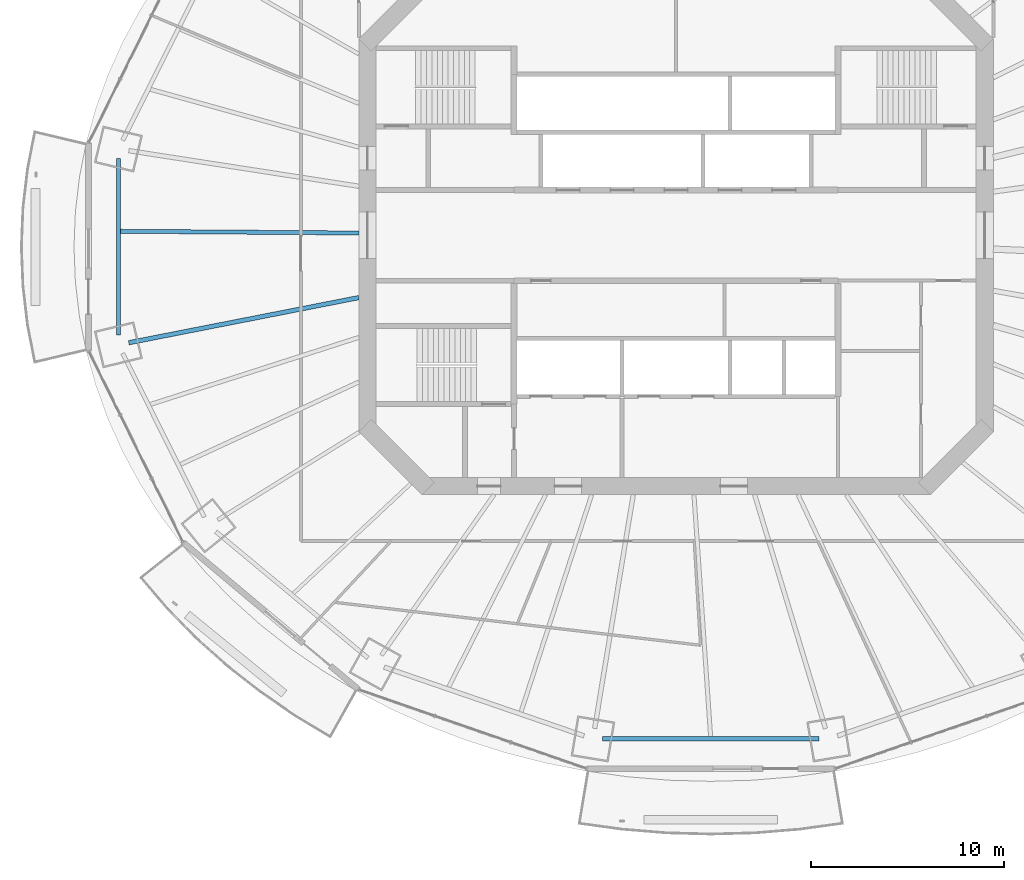
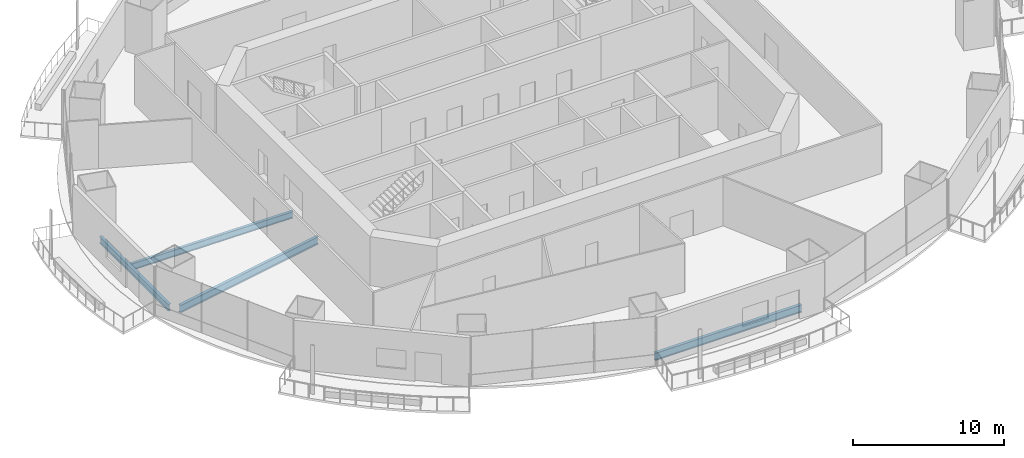
# One storey, part 3 of 21: 4 beams.
"""IFC4 building model written with IfcOpenShell, lengths in metres."""

from ifc_helpers import new_model, si_unit, direction, frame, origin, origin_2d, place, context, subcontext, project, spatial, i_section, extrude, material, material_profile, profile_set, type_object, element, save


model = new_model("IFC4")

# Units and contexts
model_context = context("Model", 3, precision=1e-05, world=origin(), true_north=direction((0.0, 1.0)))
body_context = subcontext(model_context, "Body", "Model", "MODEL_VIEW")
ifc_project = project(units=[si_unit("LENGTHUNIT", "METRE"), si_unit("AREAUNIT", "SQUARE_METRE"), si_unit("VOLUMEUNIT", "CUBIC_METRE"), si_unit("PLANEANGLEUNIT", "RADIAN"), si_unit("MASSUNIT", "GRAM", prefix="KILO")], contexts=[model_context])

# Site, building, storey
site_placement = place(None, origin())
site = spatial("IfcSite", under=ifc_project, at=site_placement, CompositionType="ELEMENT")
building_placement = place(site_placement, origin())
building = spatial("IfcBuilding", under=site, at=building_placement, Name="Marenthal Gate Tower", CompositionType="ELEMENT")
storey_placement = place(building_placement, frame((0.0, 0.0, 169.35009765625)))
storey = spatial("IfcBuildingStorey", under=building, at=storey_placement, Name="L36", CompositionType="ELEMENT", Elevation=169.35009765625)

# Beams
ifc_material_1 = material(Name="Steel S355", Category="steel")
ifc_material_profile_1 = material_profile(ifc_material_1, i_section(OverallWidth=0.2119140625, OverallDepth=0.5439453125, WebThickness=0.01318359375, FlangeThickness=0.021240234375, FilletRadius=0.0126953125, at=origin_2d()), Name="W530X123")
ifc_profile_set_1 = profile_set([ifc_material_profile_1], Name="Steel S355")
beam_type_1 = type_object("IfcBeamType", Name="W530X123 beam", PredefinedType="BEAM", material=ifc_profile_set_1)
beam_1_placement = place(storey_placement, frame((-28.811279296875, 0.211181640625, -0.4521484375), z_axis=(0.999973155818, -0.007327185195, 0.0), x_axis=(0.007327185195, 0.999973155818, 0.0)))
element("IfcBeam", 1, at=beam_1_placement, inside=storey, type_object=beam_type_1, Name="BM-L36-28", PredefinedType="BEAM", context=body_context, shape_type="SweptSolid", body=[
    extrude(i_section(OverallWidth=0.2119140625, OverallDepth=0.5439453125, WebThickness=0.01318359375, FlangeThickness=0.021240234375, FilletRadius=0.0126953125, at=origin_2d()), origin(), (0.0, 0.0, 1.0), 12.361572265625),
])
beam_2_placement = place(storey_placement, frame((-28.917236328125, 3.97216796875, -0.4521484375), z_axis=(0.0, -1.0, 0.0), x_axis=(1.0, 0.0, 0.0)))
element("IfcBeam", 2, at=beam_2_placement, inside=storey, type_object=beam_type_1, Name="BM-L36-48", PredefinedType="BEAM", context=body_context, shape_type="SweptSolid", body=[
    extrude(i_section(OverallWidth=0.2119140625, OverallDepth=0.5439453125, WebThickness=0.01318359375, FlangeThickness=0.021240234375, FilletRadius=0.0126953125, at=origin_2d()), origin(), (0.0, 0.0, 1.0), 9.144287109375),
])
ifc_material_2 = material(Name="Steel S355", Category="steel")
ifc_material_profile_2 = material_profile(ifc_material_2, i_section(OverallWidth=0.22900390625, OverallDepth=0.612060546875, WebThickness=0.011962890625, FlangeThickness=0.01953125, FilletRadius=0.0126953125, at=origin_2d()), Name="W610X125")
ifc_profile_set_2 = profile_set([ifc_material_profile_2], Name="Steel S355")
beam_type_2 = type_object("IfcBeamType", Name="W610X125 beam", PredefinedType="BEAM", material=ifc_profile_set_2)
beam_3_placement = place(storey_placement, frame((-28.376708984375, -5.568603515625, -0.486083984375), z_axis=(0.981282725396, 0.192572617055, 0.0), x_axis=(-0.192572617055, 0.981282725396, 0.0)))
element("IfcBeam", 3, at=beam_3_placement, inside=storey, type_object=beam_type_2, Name="BM-L36-09", PredefinedType="BEAM", context=body_context, shape_type="SweptSolid", body=[
    extrude(i_section(OverallWidth=0.22900390625, OverallDepth=0.612060546875, WebThickness=0.011962890625, FlangeThickness=0.01953125, FilletRadius=0.0126953125, at=origin_2d()), origin(), (0.0, 0.0, 1.0), 12.154296875),
])
beam_4_placement = place(storey_placement, frame((-3.82177734375, -26.1123046875, -0.486083984375), z_axis=(1.0, 0.0, 0.0), x_axis=(0.0, 1.0, 0.0)))
element("IfcBeam", 4, at=beam_4_placement, inside=storey, type_object=beam_type_2, Name="BM-L36-52", PredefinedType="BEAM", context=body_context, shape_type="SweptSolid", body=[
    extrude(i_section(OverallWidth=0.22900390625, OverallDepth=0.612060546875, WebThickness=0.011962890625, FlangeThickness=0.01953125, FilletRadius=0.0126953125, at=origin_2d()), origin(), (0.0, 0.0, 1.0), 11.24365234375),
])

save(model, "model.ifc")
